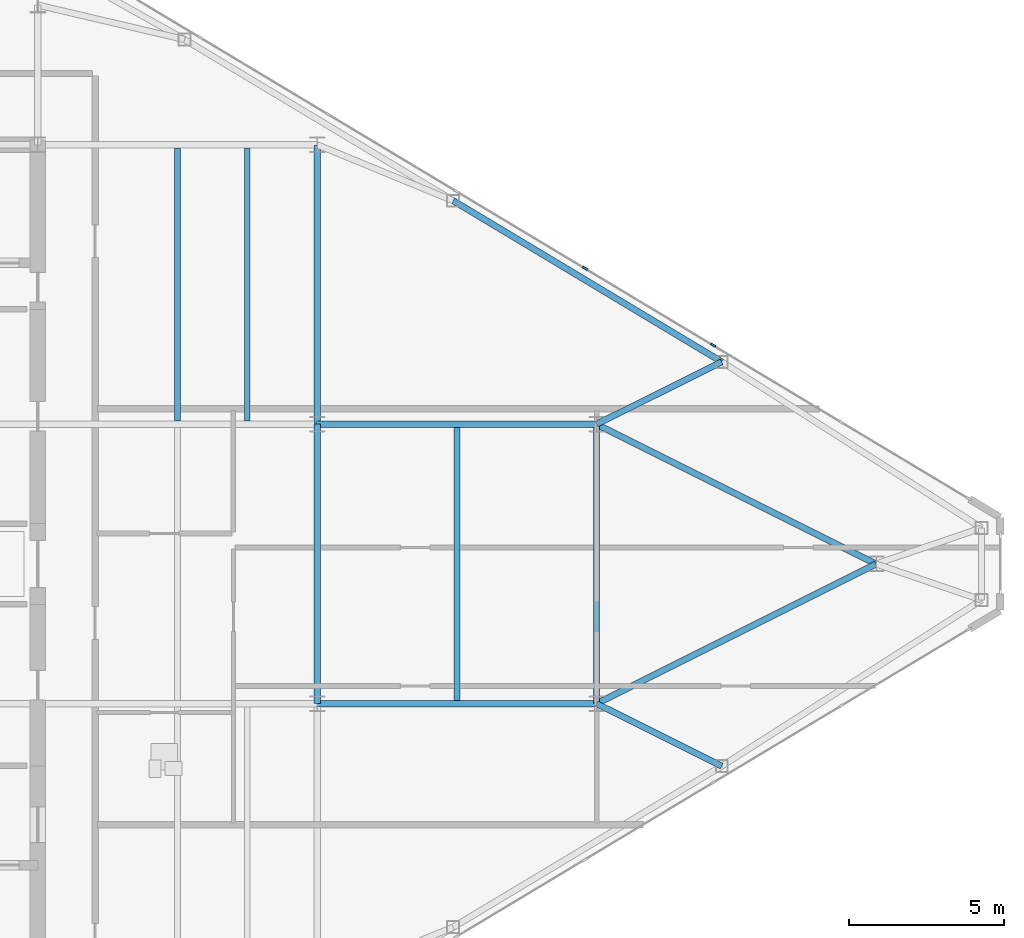
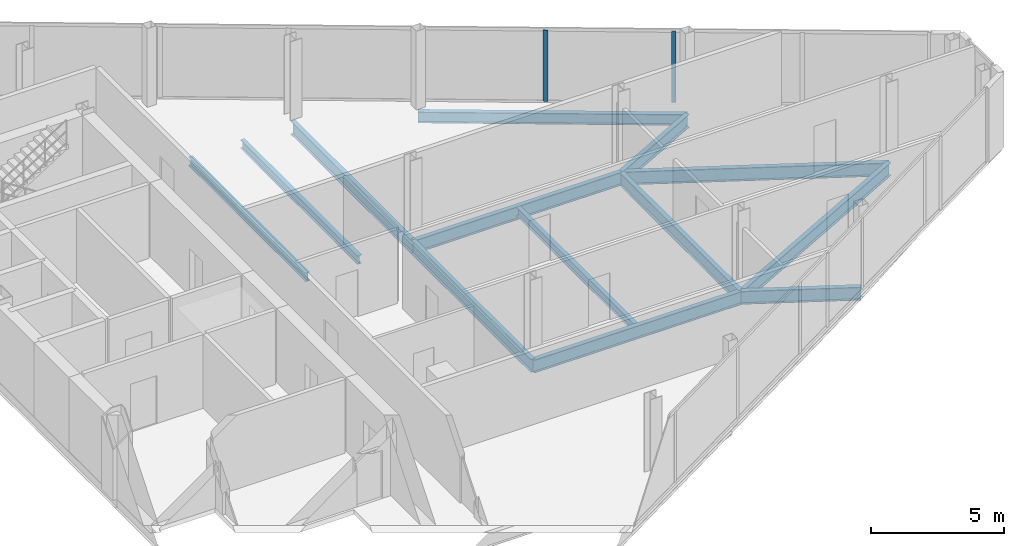
# One storey, part 14 of 25: 13 beams, 2 members, 1 element without a shape of its own.
"""IFC4 building model written with IfcOpenShell, lengths in metres."""

from ifc_helpers import new_model, si_unit, direction, frame, origin, origin_2d, place, context, subcontext, project, spatial, rectangle, i_section, extrude, source, transform, mapped, material, layer, layer_set, material_profile, profile_set, type_object, type_shapes, element, aggregate, save


model = new_model("IFC4")

# Units and contexts
model_context = context("Model", 3, precision=1e-05, world=origin(), true_north=direction((0.0, 1.0)))
body_context = subcontext(model_context, "Body", "Model", "MODEL_VIEW")
ifc_project = project(units=[si_unit("LENGTHUNIT", "METRE"), si_unit("AREAUNIT", "SQUARE_METRE"), si_unit("VOLUMEUNIT", "CUBIC_METRE"), si_unit("PLANEANGLEUNIT", "RADIAN"), si_unit("MASSUNIT", "GRAM", prefix="KILO")], contexts=[model_context])

# Site, building, storey
site_placement = place(None, origin())
site = spatial("IfcSite", under=ifc_project, at=site_placement, CompositionType="ELEMENT")
building_placement = place(site_placement, origin())
building = spatial("IfcBuilding", under=site, at=building_placement, Name="Seokmaru Belvedere", CompositionType="ELEMENT")
storey_placement = place(building_placement, frame((0.0, 0.0, 213.89990234375)))
storey = spatial("IfcBuildingStorey", under=building, at=storey_placement, Name="L57", CompositionType="ELEMENT", Elevation=213.89990234375)

# Beams
ifc_material_1 = material(Name="Steel SM355 (355 MPa)", Category="steel")
ifc_material_profile_1 = material_profile(ifc_material_1, i_section(OverallWidth=0.199951171875, OverallDepth=0.60009765625, WebThickness=0.010986328125, FlangeThickness=0.01708984375, at=origin_2d()), Name="H-600x200x11x17")
ifc_profile_set_1 = profile_set([ifc_material_profile_1], Name="Steel SM355 (355 MPa)")
beam_type_1 = type_object("IfcBeamType", Name="Primary Floor Girder H-600", PredefinedType="BEAM", material=ifc_profile_set_1)
shared_shape_1 = source(origin(), body_context, "Body", "SweptSolid", [
    extrude(i_section(OverallWidth=0.199951171875, OverallDepth=0.60009765625, WebThickness=0.010986328125, FlangeThickness=0.01708984375, at=origin_2d()), origin(), (0.0, 0.0, 1.0), 9.0),
])
for number, where, z_axis, x_axis, name in (
    (1, (45.5, -4.5, -0.52001953125), (0.0, 1.0, 0.0), (-1.0, 0.0, 0.0), "L57 E Interior Grid Girder 2"),
    (2, (45.5, 4.5, -0.52001953125), (0.0, 1.0, 0.0), (-1.0, 0.0, 0.0), "L57 E Interior Grid Girder 3"),
    (3, (45.5, -4.5, -0.52001953125), (1.0, 0.0, 0.0), (0.0, 1.0, 0.0), "L57 E Outer Wing Girder 1"),
    (4, (45.5, 4.5, -0.52001953125), (1.0, 0.0, 0.0), (0.0, 1.0, 0.0), "L57 E Outer Wing Girder 2"),
    (5, (54.5, -4.5, -0.52001953125), (0.0, 1.0, 0.0), (-1.0, 0.0, 0.0), "L57 E Apex Frame Girder"),
):
    element("IfcBeam", number, at=place(storey_placement, frame(where, z_axis=z_axis, x_axis=x_axis)), inside=storey, type_object=beam_type_1, Name=name, PredefinedType="BEAM", context=body_context, shape_type="MappedRepresentation", body=[
        mapped(shared_shape_1, transform((0.0, 0.0, 0.0), scale=1.0)),
    ])
shared_shape_2 = source(origin(), body_context, "Body", "SweptSolid", [
    extrude(i_section(OverallWidth=0.199951171875, OverallDepth=0.60009765625, WebThickness=0.010986328125, FlangeThickness=0.01708984375, at=origin_2d()), origin(), (0.0, 0.0, 1.0), 10.062255859375),
])
for number, where, z_axis, x_axis, name in (
    (6, (54.5, -4.5, -0.52001953125), (0.894427191, 0.4472135955, 0.0), (-0.4472135955, 0.894427191, 0.0), "L57 E Apex Converging Girder 1"),
    (7, (54.5, 4.5, -0.52001953125), (0.894427191, -0.4472135955, 0.0), (0.4472135955, 0.894427191, 0.0), "L57 E Apex Converging Girder 2"),
):
    element("IfcBeam", number, at=place(storey_placement, frame(where, z_axis=z_axis, x_axis=x_axis)), inside=storey, type_object=beam_type_1, Name=name, PredefinedType="BEAM", context=body_context, shape_type="MappedRepresentation", body=[
        mapped(shared_shape_2, transform((0.0, 0.0, 0.0), scale=1.0)),
    ])
ifc_material_profile_2 = material_profile(ifc_material_1, i_section(OverallWidth=0.18505859375, OverallDepth=0.389892578125, WebThickness=0.008056640625, FlangeThickness=0.011962890625, at=origin_2d()), Name="H-390x185x8x12")
ifc_profile_set_2 = profile_set([ifc_material_profile_2], Name="Steel SM355 (355 MPa)")
beam_type_2 = type_object("IfcBeamType", Name="Secondary Floor Joist H-350", PredefinedType="JOIST", material=ifc_profile_set_2)
shared_shape_3 = source(origin(), body_context, "Body", "SweptSolid", [
    extrude(i_section(OverallWidth=0.18505859375, OverallDepth=0.389892578125, WebThickness=0.008056640625, FlangeThickness=0.011962890625, at=origin_2d()), origin(), (0.0, 0.0, 1.0), 8.7900390625),
])
type_shapes(beam_type_2, [shared_shape_3])
for number, where, z_axis, x_axis, name in (
    (8, (43.25, 4.60498046875, -0.414794921875), (0.0, 1.0, 0.0), (-1.0, 0.0, 0.0), "L57 E Wing Inner Secondary Joist 2"),
    (9, (41.0, 4.60498046875, -0.414794921875), (0.0, 1.0, 0.0), (-1.0, 0.0, 0.0), "L57 E Secondary Floor Joist 3"),
    (10, (50.0, -4.39501953125, -0.414794921875), (0.0, 1.0, 0.0), (-1.0, 0.0, 0.0), "L57 E Outer Bay Secondary Joist"),
):
    element("IfcBeam", number, at=place(storey_placement, frame(where, z_axis=z_axis, x_axis=x_axis)), inside=storey, type_object=beam_type_2, Name=name, PredefinedType="JOIST", context=body_context, shape_type="MappedRepresentation", body=[
        mapped(shared_shape_3, transform((0.0, 0.0, 0.0), scale=1.0)),
    ])
ifc_material_profile_3 = material_profile(ifc_material_1, i_section(OverallWidth=0.199951171875, OverallDepth=0.5, WebThickness=0.010009765625, FlangeThickness=0.01611328125, at=origin_2d()), Name="H-500x200x10x16")
ifc_profile_set_3 = profile_set([ifc_material_profile_3], Name="Steel SM355 (355 MPa)")
beam_type_3 = type_object("IfcBeamType", Name="Perimeter Spandrel Beam H-500", PredefinedType="SPANDREL", material=ifc_profile_set_3)
shared_shape_4 = source(origin(), body_context, "Body", "SweptSolid", [
    extrude(i_section(OverallWidth=0.199951171875, OverallDepth=0.5, WebThickness=0.010009765625, FlangeThickness=0.01611328125, at=origin_2d()), origin(), (0.0, 0.0, 1.0), 10.087646484375),
])
type_shapes(beam_type_3, [shared_shape_4])
beam_placement = place(storey_placement, frame((49.8798828125, 11.698974609375, -0.469970703125), z_axis=(0.857488654804, -0.514502873542, 0.0), x_axis=(0.514502873542, 0.857488654804, 0.0)))
element("IfcBeam", 11, at=beam_placement, inside=storey, type_object=beam_type_3, Name="L57 E Faceted Flank Spandrel N-3", PredefinedType="SPANDREL", context=body_context, shape_type="MappedRepresentation", body=[
    mapped(shared_shape_4, transform((0.0, 0.0, 0.0), scale=1.0)),
])
shared_shape_5 = source(origin(), body_context, "Body", "SweptSolid", [
    extrude(i_section(OverallWidth=0.199951171875, OverallDepth=0.60009765625, WebThickness=0.010986328125, FlangeThickness=0.01708984375, at=origin_2d()), origin(), (0.0, 0.0, 1.0), 4.5029296875),
])
type_shapes(beam_type_1, [shared_shape_1, shared_shape_2, shared_shape_5])
for number, where, z_axis, x_axis, name in (
    (12, (58.530029296875, -6.5087890625, -0.52001953125), (-0.894979532585, 0.446107202648, 0.0), (-0.446107202648, -0.894979532585, 0.0), "L57 E Flank Radial Floor Girder S-3"),
    (13, (58.530029296875, 6.5087890625, -0.52001953125), (-0.894979532585, -0.446107202648, 0.0), (0.446107202648, -0.894979532585, 0.0), "L57 E Flank Radial Floor Girder N-3"),
):
    element("IfcBeam", number, at=place(storey_placement, frame(where, z_axis=z_axis, x_axis=x_axis)), inside=storey, type_object=beam_type_1, Name=name, PredefinedType="BEAM", context=body_context, shape_type="MappedRepresentation", body=[
        mapped(shared_shape_5, transform((0.0, 0.0, 0.0), scale=1.0)),
    ])

# Curtain wall, members
ifc_material_2 = material(Name="Bronze Triple Insulating Glass", Category="glass")
ifc_layer = layer(ifc_material_2, 0.179931640625)
ifc_layer_set = layer_set([ifc_layer], Name="Bronze Triple Insulating Glass")
curtain_wall_type = type_object("IfcCurtainWallType", Name="High-Rise Wind-Corner Curtain Wall System CW-5", PredefinedType="NOTDEFINED", material=ifc_layer_set)
curtain_wall_placement = place(storey_placement, origin())
curtain_wall = element("IfcCurtainWall", 14, at=curtain_wall_placement, inside=storey, type_object=curtain_wall_type, Name="L57 Curtain Wall EF3", PredefinedType="NOTDEFINED")
ifc_material_3 = material(Name="Anodised Bronze Aluminium", Category="aluminium")
ifc_material_profile_4 = material_profile(ifc_material_3, rectangle(XDim=0.06494140625, YDim=0.179931640625, at=origin_2d()), Name="CW-M-65x180")
ifc_profile_set_4 = profile_set([ifc_material_profile_4], Name="Anodised Bronze Aluminium")
member_type = type_object("IfcMemberType", Name="Bronze Unitised Mullion 65x180", PredefinedType="MULLION", material=ifc_profile_set_4)
shared_shape_6 = source(origin(), body_context, "Body", "SweptSolid", [
    extrude(rectangle(XDim=0.06494140625, YDim=0.179931640625, at=origin_2d()), origin(), (0.0, 0.0, 1.0), 3.25),
])
type_shapes(member_type, [shared_shape_6])
member_1_placement = place(storey_placement, frame((58.257080078125, 7.0458984375, 0.065185546875), z_axis=(0.0, 0.0, 1.0), x_axis=(-0.514494909364, -0.85749343335, 0.0)))
member_1 = element("IfcMember", 15, at=member_1_placement, type_object=member_type, Name="CW:L57:EF3 Mullion 3", PredefinedType="MULLION", context=body_context, shape_type="MappedRepresentation", body=[
    mapped(shared_shape_6, transform((0.0, 0.0, 0.0), scale=1.0)),
])
member_2_placement = place(storey_placement, frame((54.12841796875, 9.52294921875, 0.065185546875), z_axis=(0.0, 0.0, 1.0), x_axis=(-0.514494909364, -0.85749343335, 0.0)))
member_2 = element("IfcMember", 16, at=member_2_placement, type_object=member_type, Name="CW:L57:EF3 Mullion 4", PredefinedType="MULLION", context=body_context, shape_type="MappedRepresentation", body=[
    mapped(shared_shape_6, transform((0.0, 0.0, 0.0), scale=1.0)),
])
aggregate(curtain_wall, [member_1, member_2])

save(model, "model.ifc")
